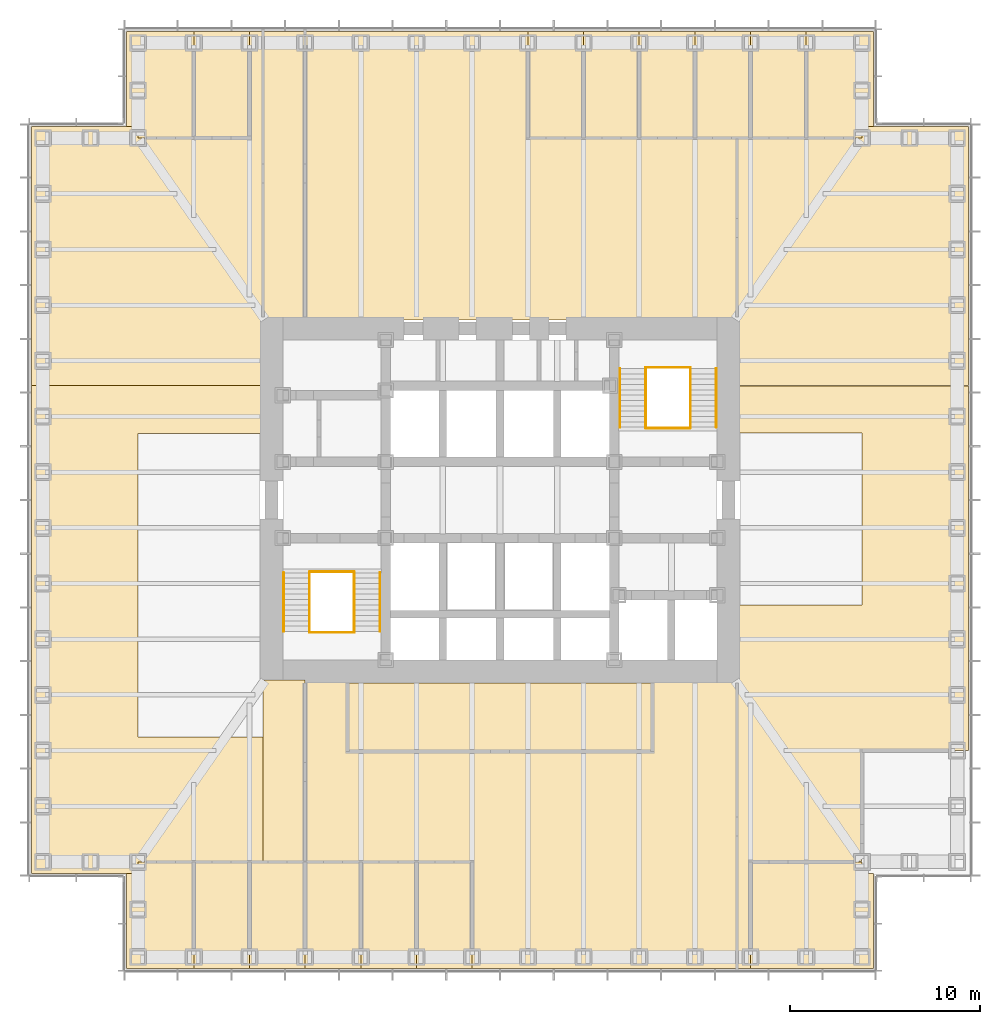
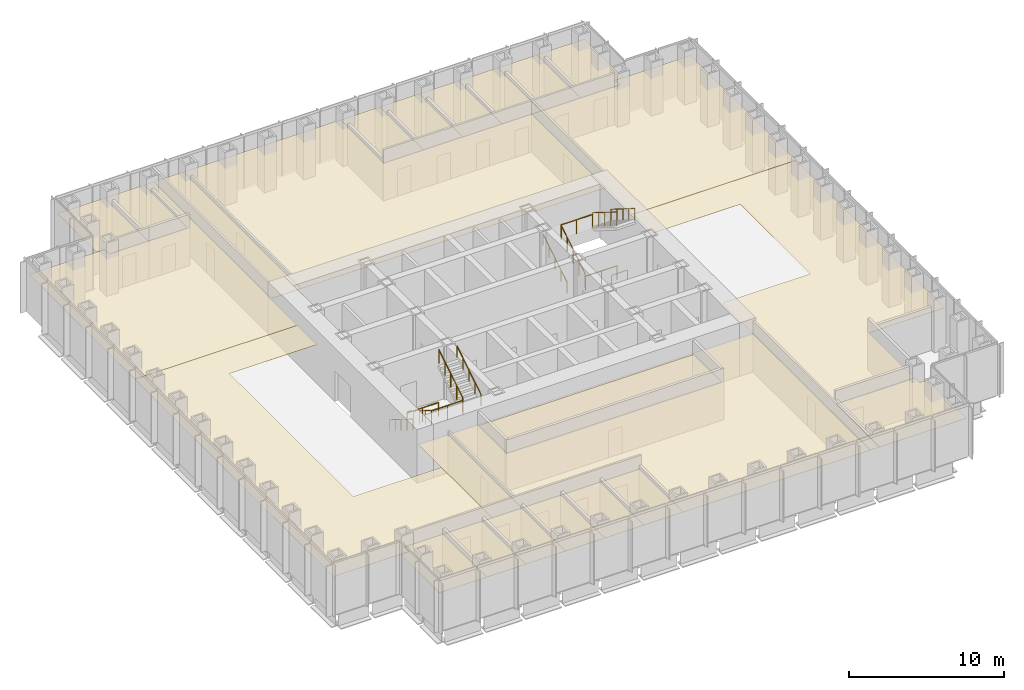
# One storey, part 16 of 16: 24 coverings, 12 railings.
"""IFC4 building model written with IfcOpenShell, lengths in metres."""

from ifc_helpers import new_model, si_unit, direction, frame, origin, origin_2d, place, context, subcontext, project, spatial, polyline, circle, outline, extrude, material, layer, layer_set, type_object, element, save


model = new_model("IFC4")

# Units and contexts
model_context = context("Model", 3, precision=1e-05, world=origin(), true_north=direction((0.0, 1.0)))
body_context = subcontext(model_context, "Body", "Model", "MODEL_VIEW")
ifc_project = project(units=[si_unit("LENGTHUNIT", "METRE"), si_unit("AREAUNIT", "SQUARE_METRE"), si_unit("VOLUMEUNIT", "CUBIC_METRE"), si_unit("PLANEANGLEUNIT", "RADIAN"), si_unit("MASSUNIT", "GRAM", prefix="KILO")], contexts=[model_context])

# Site, building, storey
site_placement = place(None, origin())
site = spatial("IfcSite", under=ifc_project, at=site_placement, CompositionType="ELEMENT")
building_placement = place(site_placement, origin())
building = spatial("IfcBuilding", under=site, at=building_placement, Name="Daluyong Arena Tower", CompositionType="ELEMENT")
storey_placement = place(building_placement, frame((0.0, 0.0, 93.699951171875)))
storey = spatial("IfcBuildingStorey", under=building, at=storey_placement, Name="L20", CompositionType="ELEMENT", Elevation=93.699951171875)

# Coverings
ifc_material_1 = material(Name="Mineral fibre ceiling tile", Category="gypsum board")
ifc_layer = layer(ifc_material_1, 0.02001953125)
ifc_layer_set = layer_set([ifc_layer], Name="Mineral fibre ceiling tile")
covering_type = type_object("IfcCoveringType", Name="Office ceiling", PredefinedType="CEILING", material=ifc_layer_set)
covering_1_placement = place(storey_placement, frame((0.0, 0.0, 2.900146484375)))
element("IfcCovering", 1, at=covering_1_placement, inside=storey, type_object=covering_type, Name="ceiling L20-01", PredefinedType="CEILING", context=body_context, shape_type="SweptSolid", body=[
    extrude(outline(polyline([(36.39990234375, 60.39990234375), (36.39990234375, 55.39990234375), (39.923095703125, 55.39990234375), (39.923095703125, 61.0), (37.0, 61.0), (37.0, 60.39990234375), (36.39990234375, 60.39990234375)])), origin(), (0.0, 0.0, 1.0), 0.02001953125),
])
covering_2_placement = place(storey_placement, frame((0.0, 0.0, 2.900146484375)))
element("IfcCovering", 2, at=covering_2_placement, inside=storey, type_object=covering_type, Name="ceiling L20-02", PredefinedType="CEILING", context=body_context, shape_type="SweptSolid", body=[
    extrude(outline(polyline([(39.923095703125, 61.0), (39.923095703125, 55.39990234375), (42.84619140625, 55.39990234375), (42.84619140625, 61.0), (39.923095703125, 61.0)])), origin(), (0.0, 0.0, 1.0), 0.02001953125),
])
covering_3_placement = place(storey_placement, frame((0.0, 0.0, 2.900146484375)))
element("IfcCovering", 3, at=covering_3_placement, inside=storey, type_object=covering_type, Name="ceiling L20-03", PredefinedType="CEILING", context=body_context, shape_type="SweptSolid", body=[
    extrude(outline(polyline([(42.84619140625, 61.0), (42.84619140625, 55.39990234375), (45.769287109375, 55.39990234375), (45.769287109375, 61.0), (42.84619140625, 61.0)])), origin(), (0.0, 0.0, 1.0), 0.02001953125),
])
covering_4_placement = place(storey_placement, frame((0.0, 0.0, 2.900146484375)))
element("IfcCovering", 4, at=covering_4_placement, inside=storey, type_object=covering_type, Name="ceiling L20-04", PredefinedType="CEILING", context=body_context, shape_type="SweptSolid", body=[
    extrude(outline(polyline([(45.769287109375, 61.0), (45.769287109375, 55.39990234375), (48.6923828125, 55.39990234375), (48.6923828125, 61.0), (45.769287109375, 61.0)])), origin(), (0.0, 0.0, 1.0), 0.02001953125),
])
covering_5_placement = place(storey_placement, frame((0.0, 0.0, 2.900146484375)))
element("IfcCovering", 5, at=covering_5_placement, inside=storey, type_object=covering_type, Name="ceiling L20-05", PredefinedType="CEILING", context=body_context, shape_type="SweptSolid", body=[
    extrude(outline(polyline([(48.6923828125, 61.0), (48.6923828125, 55.39990234375), (51.615478515625, 55.39990234375), (51.615478515625, 61.0), (48.6923828125, 61.0)])), origin(), (0.0, 0.0, 1.0), 0.02001953125),
])
covering_6_placement = place(storey_placement, frame((0.0, 0.0, 2.900146484375)))
element("IfcCovering", 6, at=covering_6_placement, inside=storey, type_object=covering_type, Name="ceiling L20-06", PredefinedType="CEILING", context=body_context, shape_type="SweptSolid", body=[
    extrude(outline(polyline([(51.615478515625, 61.0), (51.615478515625, 55.39990234375), (54.53857421875, 55.39990234375), (54.53857421875, 61.0), (51.615478515625, 61.0)])), origin(), (0.0, 0.0, 1.0), 0.02001953125),
])
covering_7_placement = place(storey_placement, frame((0.0, 0.0, 2.900146484375)))
element("IfcCovering", 7, at=covering_7_placement, inside=storey, type_object=covering_type, Name="ceiling L20-07", PredefinedType="CEILING", context=body_context, shape_type="SweptSolid", body=[
    extrude(outline(polyline([(75.60009765625, 55.39990234375), (75.60009765625, 60.39990234375), (75.0, 60.39990234375), (75.0, 61.0), (69.15380859375, 61.0), (69.15380859375, 55.39990234375), (75.60009765625, 55.39990234375)])), origin(), (0.0, 0.0, 1.0), 0.02001953125),
])
covering_8_placement = place(storey_placement, frame((0.0, 0.0, 2.900146484375)))
element("IfcCovering", 8, at=covering_8_placement, inside=storey, type_object=covering_type, Name="ceiling L20-09", PredefinedType="CEILING", context=body_context, shape_type="SweptSolid", body=[
    extrude(outline(polyline([(39.923095703125, 99.0), (39.923095703125, 104.60009765625), (36.39990234375, 104.60009765625), (36.39990234375, 99.60009765625), (37.0, 99.60009765625), (37.0, 99.0), (39.923095703125, 99.0)])), origin(), (0.0, 0.0, 1.0), 0.02001953125),
])
covering_9_placement = place(storey_placement, frame((0.0, 0.0, 2.900146484375)))
element("IfcCovering", 9, at=covering_9_placement, inside=storey, type_object=covering_type, Name="ceiling L20-10", PredefinedType="CEILING", context=body_context, shape_type="SweptSolid", body=[
    extrude(outline(polyline([(42.84619140625, 99.0), (42.84619140625, 104.60009765625), (39.923095703125, 104.60009765625), (39.923095703125, 99.0), (42.84619140625, 99.0)])), origin(), (0.0, 0.0, 1.0), 0.02001953125),
])
covering_10_placement = place(storey_placement, frame((0.0, 0.0, 2.900146484375)))
element("IfcCovering", 10, at=covering_10_placement, inside=storey, type_object=covering_type, Name="ceiling L20-11", PredefinedType="CEILING", context=body_context, shape_type="SweptSolid", body=[
    extrude(outline(polyline([(60.384521484375, 99.0), (60.384521484375, 104.60009765625), (57.46142578125, 104.60009765625), (57.46142578125, 99.0), (60.384521484375, 99.0)])), origin(), (0.0, 0.0, 1.0), 0.02001953125),
])
covering_11_placement = place(storey_placement, frame((0.0, 0.0, 2.900146484375)))
element("IfcCovering", 11, at=covering_11_placement, inside=storey, type_object=covering_type, Name="ceiling L20-12", PredefinedType="CEILING", context=body_context, shape_type="SweptSolid", body=[
    extrude(outline(polyline([(63.3076171875, 99.0), (63.3076171875, 104.60009765625), (60.384521484375, 104.60009765625), (60.384521484375, 99.0), (63.3076171875, 99.0)])), origin(), (0.0, 0.0, 1.0), 0.02001953125),
])
covering_12_placement = place(storey_placement, frame((0.0, 0.0, 2.900146484375)))
element("IfcCovering", 12, at=covering_12_placement, inside=storey, type_object=covering_type, Name="ceiling L20-13", PredefinedType="CEILING", context=body_context, shape_type="SweptSolid", body=[
    extrude(outline(polyline([(66.230712890625, 99.0), (66.230712890625, 104.60009765625), (63.3076171875, 104.60009765625), (63.3076171875, 99.0), (66.230712890625, 99.0)])), origin(), (0.0, 0.0, 1.0), 0.02001953125),
])
covering_13_placement = place(storey_placement, frame((0.0, 0.0, 2.900146484375)))
element("IfcCovering", 13, at=covering_13_placement, inside=storey, type_object=covering_type, Name="ceiling L20-14", PredefinedType="CEILING", context=body_context, shape_type="SweptSolid", body=[
    extrude(outline(polyline([(69.15380859375, 99.0), (69.15380859375, 104.60009765625), (66.230712890625, 104.60009765625), (66.230712890625, 99.0), (69.15380859375, 99.0)])), origin(), (0.0, 0.0, 1.0), 0.02001953125),
])
covering_14_placement = place(storey_placement, frame((0.0, 0.0, 2.900146484375)))
element("IfcCovering", 14, at=covering_14_placement, inside=storey, type_object=covering_type, Name="ceiling L20-15", PredefinedType="CEILING", context=body_context, shape_type="SweptSolid", body=[
    extrude(outline(polyline([(72.076904296875, 99.0), (72.076904296875, 104.60009765625), (69.15380859375, 104.60009765625), (69.15380859375, 99.0), (72.076904296875, 99.0)])), origin(), (0.0, 0.0, 1.0), 0.02001953125),
])
covering_15_placement = place(storey_placement, frame((0.0, 0.0, 2.900146484375)))
element("IfcCovering", 15, at=covering_15_placement, inside=storey, type_object=covering_type, Name="ceiling L20-16", PredefinedType="CEILING", context=body_context, shape_type="SweptSolid", body=[
    extrude(outline(polyline([(72.076904296875, 99.0), (75.0, 99.0), (75.0, 99.60009765625), (75.60009765625, 99.60009765625), (75.60009765625, 104.60009765625), (72.076904296875, 104.60009765625), (72.076904296875, 99.0)])), origin(), (0.0, 0.0, 1.0), 0.02001953125),
])
covering_16_placement = place(storey_placement, frame((0.0, 0.0, 2.900146484375)))
element("IfcCovering", 16, at=covering_16_placement, inside=storey, type_object=covering_type, Name="ceiling L20-17", PredefinedType="CEILING", context=body_context, shape_type="SweptSolid", body=[
    extrude(outline(polyline([(48.0, 66.800048828125), (64.0, 66.800048828125), (64.0, 70.39990234375), (48.0, 70.39990234375), (48.0, 66.800048828125)])), origin(), (0.0, 0.0, 1.0), 0.02001953125),
])
covering_17_placement = place(storey_placement, frame((0.0, 0.0, 2.900146484375)))
element("IfcCovering", 17, at=covering_17_placement, inside=storey, type_object=covering_type, Name="ceiling L20-20", PredefinedType="CEILING", context=body_context, shape_type="SweptSolid", body=[
    extrude(outline(polyline([(43.550048828125, 61.0), (45.769287109375, 61.0), (45.769287109375, 70.550048828125), (43.550048828125, 70.550048828125), (43.550048828125, 61.0)])), origin(), (0.0, 0.0, 1.0), 0.02001953125),
])
covering_18_placement = place(storey_placement, frame((0.0, 0.0, 2.900146484375)))
element("IfcCovering", 18, at=covering_18_placement, inside=storey, type_object=covering_type, Name="ceiling L20-21", PredefinedType="CEILING", context=body_context, shape_type="SweptSolid", body=[
    extrude(outline(polyline([(54.53857421875, 55.39990234375), (68.449951171875, 55.39990234375), (68.449951171875, 70.550048828125), (45.769287109375, 70.550048828125), (45.769287109375, 61.0), (54.53857421875, 61.0), (54.53857421875, 55.39990234375)]), holes=[polyline([(48.0, 66.800048828125), (48.0, 70.39990234375), (64.0, 70.39990234375), (64.0, 66.800048828125), (48.0, 66.800048828125)])]), origin(), (0.0, 0.0, 1.0), 0.02001953125),
])
covering_19_placement = place(storey_placement, frame((0.0, 0.0, 2.900146484375)))
element("IfcCovering", 19, at=covering_19_placement, inside=storey, type_object=covering_type, Name="ceiling L20-22", PredefinedType="CEILING", context=body_context, shape_type="SweptSolid", body=[
    extrude(outline(polyline([(45.769287109375, 104.60009765625), (43.550048828125, 104.60009765625), (43.550048828125, 89.449951171875), (45.769287109375, 89.449951171875), (45.769287109375, 104.60009765625)])), origin(), (0.0, 0.0, 1.0), 0.02001953125),
])
covering_20_placement = place(storey_placement, frame((0.0, 0.0, 2.900146484375)))
element("IfcCovering", 20, at=covering_20_placement, inside=storey, type_object=covering_type, Name="ceiling L20-23", PredefinedType="CEILING", context=body_context, shape_type="SweptSolid", body=[
    extrude(outline(polyline([(57.46142578125, 104.60009765625), (45.769287109375, 104.60009765625), (45.769287109375, 89.449951171875), (68.449951171875, 89.449951171875), (68.449951171875, 99.0), (57.46142578125, 99.0), (57.46142578125, 104.60009765625)])), origin(), (0.0, 0.0, 1.0), 0.02001953125),
])
covering_21_placement = place(storey_placement, frame((0.0, 0.0, 2.900146484375)))
element("IfcCovering", 21, at=covering_21_placement, inside=storey, type_object=covering_type, Name="ceiling L20-24", PredefinedType="CEILING", context=body_context, shape_type="SweptSolid", body=[
    extrude(outline(polyline([(43.550048828125, 61.0), (43.550048828125, 67.550048828125), (37.0, 67.550048828125), (37.0, 83.5), (43.550048828125, 83.5), (43.550048828125, 86.0), (31.39990234375, 86.0), (31.39990234375, 60.39990234375), (37.0, 60.39990234375), (37.0, 61.0), (43.550048828125, 61.0)])), origin(), (0.0, 0.0, 1.0), 0.02001953125),
])
covering_22_placement = place(storey_placement, frame((0.0, 0.0, 2.900146484375)))
element("IfcCovering", 22, at=covering_22_placement, inside=storey, type_object=covering_type, Name="ceiling L20-25", PredefinedType="CEILING", context=body_context, shape_type="SweptSolid", body=[
    extrude(outline(polyline([(37.0, 99.60009765625), (31.39990234375, 99.60009765625), (31.39990234375, 86.0), (43.550048828125, 86.0), (43.550048828125, 104.60009765625), (42.84619140625, 104.60009765625), (42.84619140625, 99.0), (37.0, 99.0), (37.0, 99.60009765625)])), origin(), (0.0, 0.0, 1.0), 0.02001953125),
])
covering_23_placement = place(storey_placement, frame((0.0, 0.0, 2.900146484375)))
element("IfcCovering", 23, at=covering_23_placement, inside=storey, type_object=covering_type, Name="ceiling L20-26", PredefinedType="CEILING", context=body_context, shape_type="SweptSolid", body=[
    extrude(outline(polyline([(74.989990234375, 61.010009765625), (74.989990234375, 66.856201171875), (80.590087890625, 66.856201171875), (80.590087890625, 85.989990234375), (68.4599609375, 85.989990234375), (68.4599609375, 83.510009765625), (75.010009765625, 83.510009765625), (75.010009765625, 74.489990234375), (68.4599609375, 74.489990234375), (68.4599609375, 55.409912109375), (69.143798828125, 55.409912109375), (69.143798828125, 61.010009765625), (74.989990234375, 61.010009765625)])), origin(), (0.0, 0.0, 1.0), 0.02001953125),
])
covering_24_placement = place(storey_placement, frame((0.0, 0.0, 2.900146484375)))
element("IfcCovering", 24, at=covering_24_placement, inside=storey, type_object=covering_type, Name="ceiling L20-27", PredefinedType="CEILING", context=body_context, shape_type="SweptSolid", body=[
    extrude(outline(polyline([(68.449951171875, 99.0), (68.449951171875, 86.0), (80.60009765625, 86.0), (80.60009765625, 99.60009765625), (75.0, 99.60009765625), (75.0, 99.0), (68.449951171875, 99.0)])), origin(), (0.0, 0.0, 1.0), 0.02001953125),
])

# Railings
ifc_material_2 = material(Name="Stainless steel handrail", Category="steel")
railing_type_1 = type_object("IfcRailingType", Name="Stair handrail", PredefinedType="HANDRAIL", material=ifc_material_2)
railing_1_placement = place(storey_placement, frame((44.64990234375, 76.175048828125, 0.175048828125)))
element("IfcRailing", 25, at=railing_1_placement, inside=storey, type_object=railing_type_1, Name="exit stair A handrail L20", PredefinedType="HANDRAIL", context=body_context, shape_type="SweptSolid", body=[
    extrude(circle(Radius=0.02392578125, at=origin_2d()), frame((0.0, 0.0, 0.8759765625), z_axis=(0.0, -0.847998304005, 0.529998940003), x_axis=(1.0, 0.0, 0.0)), (0.0, 0.0, 1.0), 3.632080078125),
    extrude(circle(Radius=0.02099609375, at=origin_2d()), origin(), (0.0, 0.0, 1.0), 0.851806640625),
    extrude(circle(Radius=0.02099609375, at=origin_2d()), frame((0.0, -0.77001953125, 0.481201171875)), (0.0, 0.0, 1.0), 0.851806640625),
    extrude(circle(Radius=0.02099609375, at=origin_2d()), frame((0.0, -1.5400390625, 0.96240234375)), (0.0, 0.0, 1.0), 0.851806640625),
    extrude(circle(Radius=0.02099609375, at=origin_2d()), frame((0.0, -2.31005859375, 1.44384765625)), (0.0, 0.0, 1.0), 0.851806640625),
    extrude(circle(Radius=0.02099609375, at=origin_2d()), frame((0.0, -3.080078125, 1.925048828125)), (0.0, 0.0, 1.0), 0.851806640625),
])
railing_2_placement = place(storey_placement, frame((49.699951171875, 73.094970703125, 2.275146484375)))
element("IfcRailing", 26, at=railing_2_placement, inside=storey, type_object=railing_type_1, Name="exit stair A handrail L20", PredefinedType="HANDRAIL", context=body_context, shape_type="SweptSolid", body=[
    extrude(circle(Radius=0.02392578125, at=origin_2d()), frame((0.0, 0.0, 0.8759765625), z_axis=(0.0, 0.848028513186, 0.529950602248), x_axis=(-1.0, 0.0, 0.0)), (0.0, 0.0, 1.0), 3.632080078125),
    extrude(circle(Radius=0.02099609375, at=origin_2d()), origin(), (0.0, 0.0, 1.0), 0.851806640625),
    extrude(circle(Radius=0.02099609375, at=origin_2d()), frame((0.0, 0.77001953125, 0.481201171875)), (0.0, 0.0, 1.0), 0.851806640625),
    extrude(circle(Radius=0.02099609375, at=origin_2d()), frame((0.0, 1.5400390625, 0.96240234375)), (0.0, 0.0, 1.0), 0.851806640625),
    extrude(circle(Radius=0.02099609375, at=origin_2d()), frame((0.0, 2.31005859375, 1.443603515625)), (0.0, 0.0, 1.0), 0.851806640625),
    extrude(circle(Radius=0.02099609375, at=origin_2d()), frame((0.0, 3.080078125, 1.9248046875)), (0.0, 0.0, 1.0), 0.851806640625),
])
railing_3_placement = place(storey_placement, frame((62.300048828125, 83.824951171875, 0.175048828125)))
element("IfcRailing", 27, at=railing_3_placement, inside=storey, type_object=railing_type_1, Name="exit stair B handrail L20", PredefinedType="HANDRAIL", context=body_context, shape_type="SweptSolid", body=[
    extrude(circle(Radius=0.02392578125, at=origin_2d()), frame((0.0, 0.0, 0.8759765625), z_axis=(0.0, 0.847998304005, 0.529998940003), x_axis=(-1.0, 0.0, 0.0)), (0.0, 0.0, 1.0), 3.632080078125),
    extrude(circle(Radius=0.02099609375, at=origin_2d()), origin(), (0.0, 0.0, 1.0), 0.851806640625),
    extrude(circle(Radius=0.02099609375, at=origin_2d()), frame((0.0, 0.77001953125, 0.481201171875)), (0.0, 0.0, 1.0), 0.851806640625),
    extrude(circle(Radius=0.02099609375, at=origin_2d()), frame((0.0, 1.5400390625, 0.96240234375)), (0.0, 0.0, 1.0), 0.851806640625),
    extrude(circle(Radius=0.02099609375, at=origin_2d()), frame((0.0, 2.31005859375, 1.44384765625)), (0.0, 0.0, 1.0), 0.851806640625),
    extrude(circle(Radius=0.02099609375, at=origin_2d()), frame((0.0, 3.080078125, 1.925048828125)), (0.0, 0.0, 1.0), 0.851806640625),
])
railing_4_placement = place(storey_placement, frame((67.35009765625, 86.905029296875, 2.275146484375)))
element("IfcRailing", 28, at=railing_4_placement, inside=storey, type_object=railing_type_1, Name="exit stair B handrail L20", PredefinedType="HANDRAIL", context=body_context, shape_type="SweptSolid", body=[
    extrude(circle(Radius=0.02392578125, at=origin_2d()), frame((0.0, 0.0, 0.8759765625), z_axis=(0.0, -0.848028513186, 0.529950602248), x_axis=(1.0, 0.0, 0.0)), (0.0, 0.0, 1.0), 3.632080078125),
    extrude(circle(Radius=0.02099609375, at=origin_2d()), origin(), (0.0, 0.0, 1.0), 0.851806640625),
    extrude(circle(Radius=0.02099609375, at=origin_2d()), frame((0.0, -0.77001953125, 0.481201171875)), (0.0, 0.0, 1.0), 0.851806640625),
    extrude(circle(Radius=0.02099609375, at=origin_2d()), frame((0.0, -1.5400390625, 0.96240234375)), (0.0, 0.0, 1.0), 0.851806640625),
    extrude(circle(Radius=0.02099609375, at=origin_2d()), frame((0.0, -2.31005859375, 1.443603515625)), (0.0, 0.0, 1.0), 0.851806640625),
    extrude(circle(Radius=0.02099609375, at=origin_2d()), frame((0.0, -3.080078125, 1.9248046875)), (0.0, 0.0, 1.0), 0.851806640625),
])
ifc_material_3 = material(Name="Steel balustrade", Category="steel")
railing_type_2 = type_object("IfcRailingType", Name="Stair well guard 1100", PredefinedType="GUARDRAIL", material=ifc_material_3)
railing_5_placement = place(storey_placement, frame((46.0, 76.175048828125, 0.175048828125)))
element("IfcRailing", 29, at=railing_5_placement, inside=storey, type_object=railing_type_2, Name="exit stair A well guard L20", PredefinedType="GUARDRAIL", context=body_context, shape_type="SweptSolid", body=[
    extrude(circle(Radius=0.02392578125, at=origin_2d()), frame((0.0, 0.0, 1.076171875), z_axis=(0.0, -0.847998304005, 0.529998940003), x_axis=(1.0, 0.0, 0.0)), (0.0, 0.0, 1.0), 3.632080078125),
    extrude(circle(Radius=0.02099609375, at=origin_2d()), origin(), (0.0, 0.0, 1.0), 1.052001953125),
    extrude(circle(Radius=0.02099609375, at=origin_2d()), frame((0.0, -0.77001953125, 0.481201171875)), (0.0, 0.0, 1.0), 1.052001953125),
    extrude(circle(Radius=0.02099609375, at=origin_2d()), frame((0.0, -1.5400390625, 0.96240234375)), (0.0, 0.0, 1.0), 1.052001953125),
    extrude(circle(Radius=0.02099609375, at=origin_2d()), frame((0.0, -2.31005859375, 1.44384765625)), (0.0, 0.0, 1.0), 1.052001953125),
    extrude(circle(Radius=0.02099609375, at=origin_2d()), frame((0.0, -3.080078125, 1.925048828125)), (0.0, 0.0, 1.0), 1.052001953125),
])
railing_6_placement = place(storey_placement, frame((48.35009765625, 73.094970703125, 2.275146484375)))
element("IfcRailing", 30, at=railing_6_placement, inside=storey, type_object=railing_type_2, Name="exit stair A well guard L20", PredefinedType="GUARDRAIL", context=body_context, shape_type="SweptSolid", body=[
    extrude(circle(Radius=0.02392578125, at=origin_2d()), frame((0.0, 0.0, 1.076171875), z_axis=(0.0, 0.848028513186, 0.529950602248), x_axis=(-1.0, 0.0, 0.0)), (0.0, 0.0, 1.0), 3.632080078125),
    extrude(circle(Radius=0.02099609375, at=origin_2d()), origin(), (0.0, 0.0, 1.0), 1.052001953125),
    extrude(circle(Radius=0.02099609375, at=origin_2d()), frame((0.0, 0.77001953125, 0.481201171875)), (0.0, 0.0, 1.0), 1.052001953125),
    extrude(circle(Radius=0.02099609375, at=origin_2d()), frame((0.0, 1.5400390625, 0.96240234375)), (0.0, 0.0, 1.0), 1.052001953125),
    extrude(circle(Radius=0.02099609375, at=origin_2d()), frame((0.0, 2.31005859375, 1.443603515625)), (0.0, 0.0, 1.0), 1.052001953125),
    extrude(circle(Radius=0.02099609375, at=origin_2d()), frame((0.0, 3.080078125, 1.9248046875)), (0.0, 0.0, 1.0), 1.052001953125),
])
for number, where, name in (
    (31, (46.0, 73.044921875, 2.10009765625), "exit stair A landing guard L20"),
    (32, (46.0, 76.22509765625, 0.0), "exit stair A floor landing guard L20"),
):
    element("IfcRailing", number, at=place(storey_placement, frame(where)), inside=storey, type_object=railing_type_2, Name=name, PredefinedType="GUARDRAIL", context=body_context, shape_type="SweptSolid", body=[
        extrude(circle(Radius=0.02392578125, at=origin_2d()), frame((0.0, 0.0, 1.076171875), z_axis=(1.0, 0.0, 0.0), x_axis=(0.0, 1.0, 0.0)), (0.0, 0.0, 1.0), 2.35009765625),
        extrude(circle(Radius=0.02099609375, at=origin_2d()), origin(), (0.0, 0.0, 1.0), 1.052001953125),
        extrude(circle(Radius=0.02099609375, at=origin_2d()), frame((1.175048828125, 0.0, 0.0)), (0.0, 0.0, 1.0), 1.052001953125),
        extrude(circle(Radius=0.02099609375, at=origin_2d()), frame((2.35009765625, 0.0, 0.0)), (0.0, 0.0, 1.0), 1.052001953125),
    ])
railing_7_placement = place(storey_placement, frame((63.64990234375, 83.824951171875, 0.175048828125)))
element("IfcRailing", 33, at=railing_7_placement, inside=storey, type_object=railing_type_2, Name="exit stair B well guard L20", PredefinedType="GUARDRAIL", context=body_context, shape_type="SweptSolid", body=[
    extrude(circle(Radius=0.02392578125, at=origin_2d()), frame((0.0, 0.0, 1.076171875), z_axis=(0.0, 0.847998304005, 0.529998940003), x_axis=(-1.0, 0.0, 0.0)), (0.0, 0.0, 1.0), 3.632080078125),
    extrude(circle(Radius=0.02099609375, at=origin_2d()), origin(), (0.0, 0.0, 1.0), 1.052001953125),
    extrude(circle(Radius=0.02099609375, at=origin_2d()), frame((0.0, 0.77001953125, 0.481201171875)), (0.0, 0.0, 1.0), 1.052001953125),
    extrude(circle(Radius=0.02099609375, at=origin_2d()), frame((0.0, 1.5400390625, 0.96240234375)), (0.0, 0.0, 1.0), 1.052001953125),
    extrude(circle(Radius=0.02099609375, at=origin_2d()), frame((0.0, 2.31005859375, 1.44384765625)), (0.0, 0.0, 1.0), 1.052001953125),
    extrude(circle(Radius=0.02099609375, at=origin_2d()), frame((0.0, 3.080078125, 1.925048828125)), (0.0, 0.0, 1.0), 1.052001953125),
])
railing_8_placement = place(storey_placement, frame((66.0, 86.905029296875, 2.275146484375)))
element("IfcRailing", 34, at=railing_8_placement, inside=storey, type_object=railing_type_2, Name="exit stair B well guard L20", PredefinedType="GUARDRAIL", context=body_context, shape_type="SweptSolid", body=[
    extrude(circle(Radius=0.02392578125, at=origin_2d()), frame((0.0, 0.0, 1.076171875), z_axis=(0.0, -0.848028513186, 0.529950602248), x_axis=(1.0, 0.0, 0.0)), (0.0, 0.0, 1.0), 3.632080078125),
    extrude(circle(Radius=0.02099609375, at=origin_2d()), origin(), (0.0, 0.0, 1.0), 1.052001953125),
    extrude(circle(Radius=0.02099609375, at=origin_2d()), frame((0.0, -0.77001953125, 0.481201171875)), (0.0, 0.0, 1.0), 1.052001953125),
    extrude(circle(Radius=0.02099609375, at=origin_2d()), frame((0.0, -1.5400390625, 0.96240234375)), (0.0, 0.0, 1.0), 1.052001953125),
    extrude(circle(Radius=0.02099609375, at=origin_2d()), frame((0.0, -2.31005859375, 1.443603515625)), (0.0, 0.0, 1.0), 1.052001953125),
    extrude(circle(Radius=0.02099609375, at=origin_2d()), frame((0.0, -3.080078125, 1.9248046875)), (0.0, 0.0, 1.0), 1.052001953125),
])
for number, where, name in (
    (35, (63.64990234375, 86.955078125, 2.10009765625), "exit stair B landing guard L20"),
    (36, (63.64990234375, 83.77490234375, 0.0), "exit stair B floor landing guard L20"),
):
    element("IfcRailing", number, at=place(storey_placement, frame(where)), inside=storey, type_object=railing_type_2, Name=name, PredefinedType="GUARDRAIL", context=body_context, shape_type="SweptSolid", body=[
        extrude(circle(Radius=0.02392578125, at=origin_2d()), frame((0.0, 0.0, 1.076171875), z_axis=(1.0, 0.0, 0.0), x_axis=(0.0, 1.0, 0.0)), (0.0, 0.0, 1.0), 2.35009765625),
        extrude(circle(Radius=0.02099609375, at=origin_2d()), origin(), (0.0, 0.0, 1.0), 1.052001953125),
        extrude(circle(Radius=0.02099609375, at=origin_2d()), frame((1.175048828125, 0.0, 0.0)), (0.0, 0.0, 1.0), 1.052001953125),
        extrude(circle(Radius=0.02099609375, at=origin_2d()), frame((2.35009765625, 0.0, 0.0)), (0.0, 0.0, 1.0), 1.052001953125),
    ])

save(model, "model.ifc")
